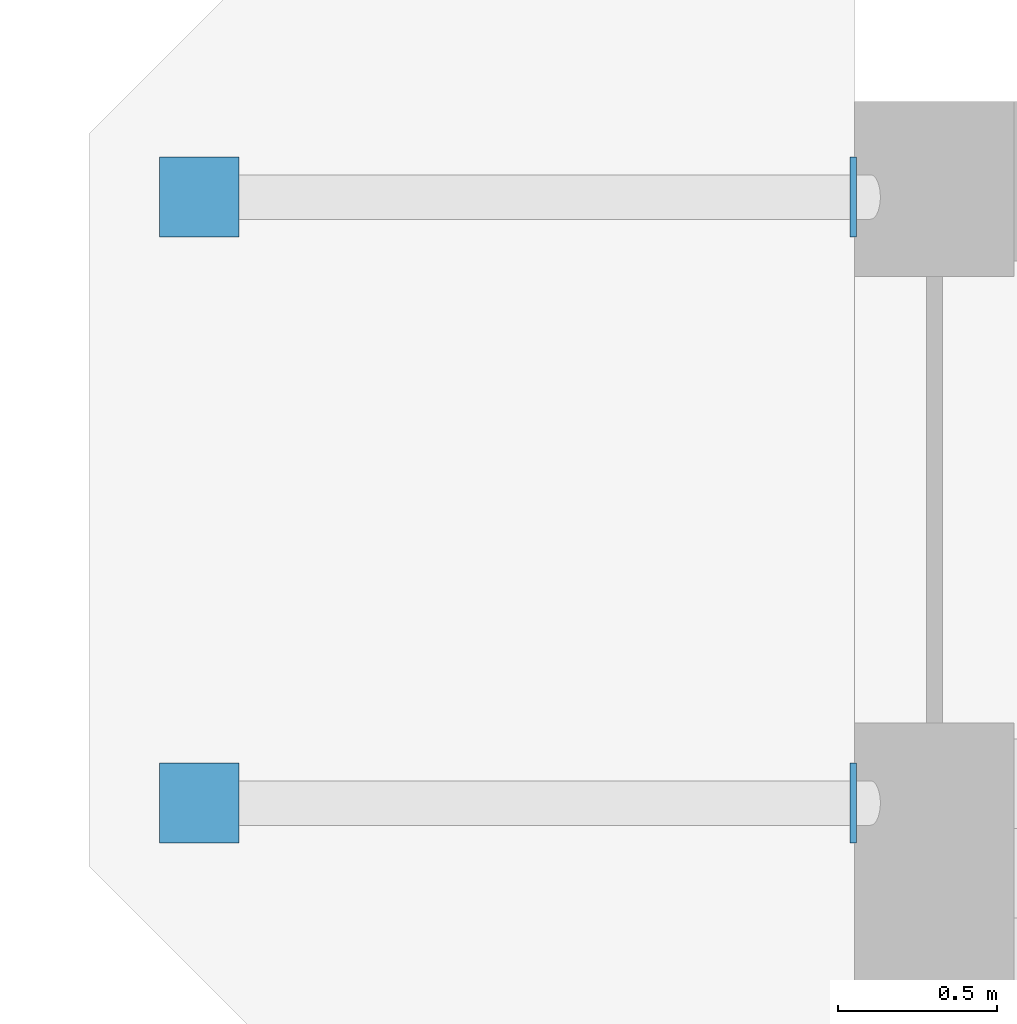
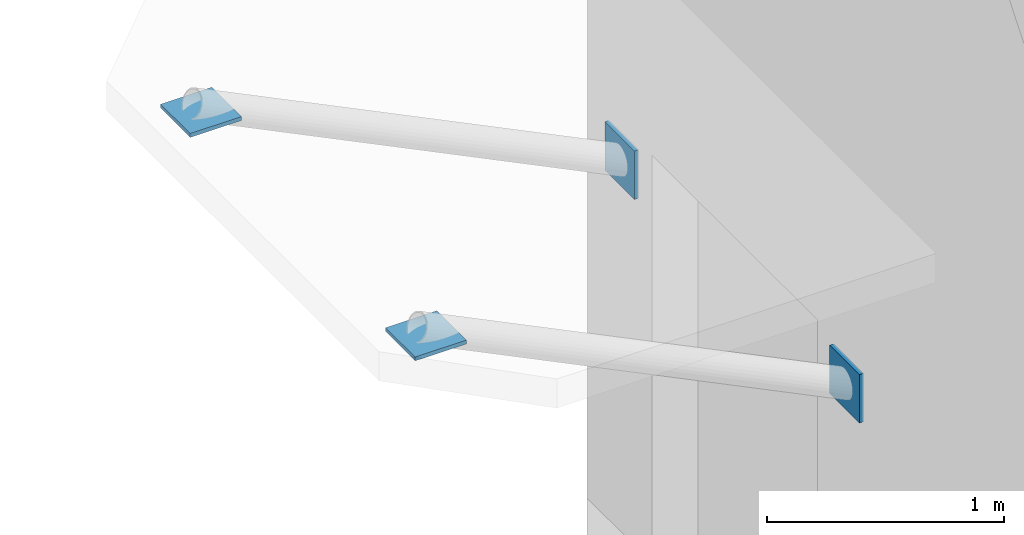
# One storey, part 63 of 71: 4 discrete accessories.
"""IFC4 building model written with IfcOpenShell, lengths in metres."""

from ifc_helpers import new_model, si_unit, direction, frame, origin, origin_2d, place, context, subcontext, project, spatial, rectangle, extrude, material, type_object, element, save


model = new_model("IFC4")

# Units and contexts
model_context = context("Model", 3, precision=1e-05, world=origin(), true_north=direction((0.0, 1.0)))
body_context = subcontext(model_context, "Body", "Model", "MODEL_VIEW")
ifc_project = project(units=[si_unit("LENGTHUNIT", "METRE"), si_unit("AREAUNIT", "SQUARE_METRE"), si_unit("VOLUMEUNIT", "CUBIC_METRE"), si_unit("PLANEANGLEUNIT", "RADIAN"), si_unit("MASSUNIT", "GRAM", prefix="KILO")], contexts=[model_context])

# Site, building, storey
site_placement = place(None, origin())
site = spatial("IfcSite", under=ifc_project, at=site_placement, CompositionType="ELEMENT")
building_placement = place(site_placement, origin())
building = spatial("IfcBuilding", under=site, at=building_placement, Name="Basin Gate Institute", CompositionType="ELEMENT")
storey_placement = place(building_placement, origin())
storey = spatial("IfcBuildingStorey", under=building, at=storey_placement, Name="L00", CompositionType="ELEMENT", Elevation=0.0)

# Discrete accessories
ifc_material = material(Name="Structural steel SN490", Category="steel")
discrete_accessory_type = type_object("IfcDiscreteAccessoryType", Name="Brace end plate BP250", PredefinedType="BRACKET", material=ifc_material)
discrete_accessory_1_placement = place(storey_placement, frame((60.946044921875, 97.949951171875, 1.80126953125), z_axis=(0.0, 0.0, 1.0), x_axis=(1.0, 0.0, 0.0)))
element("IfcDiscreteAccessory", 1, at=discrete_accessory_1_placement, inside=storey, type_object=discrete_accessory_type, material=ifc_material, Name="Canopy strut WN 1 end plate 1", PredefinedType="BRACKET", context=body_context, shape_type="SweptSolid", body=[
    extrude(rectangle(XDim=0.02001953125, YDim=0.25, at=origin_2d()), origin(), (0.0, 0.0, 1.0), 0.25),
])
discrete_accessory_2_placement = place(storey_placement, frame((58.89501953125, 97.949951171875, 2.8798828125), z_axis=(0.0, 0.0, 1.0), x_axis=(1.0, 0.0, 0.0)))
element("IfcDiscreteAccessory", 2, at=discrete_accessory_2_placement, inside=storey, type_object=discrete_accessory_type, material=ifc_material, Name="Canopy strut WN 1 end plate 2", PredefinedType="BRACKET", context=body_context, shape_type="SweptSolid", body=[
    extrude(rectangle(XDim=0.25, YDim=0.25, at=origin_2d()), origin(), (0.0, 0.0, 1.0), 0.02001953125),
])
discrete_accessory_3_placement = place(storey_placement, frame((60.946044921875, 99.85009765625, 1.80126953125), z_axis=(0.0, 0.0, 1.0), x_axis=(1.0, 0.0, 0.0)))
element("IfcDiscreteAccessory", 3, at=discrete_accessory_3_placement, inside=storey, type_object=discrete_accessory_type, material=ifc_material, Name="Canopy strut WN 2 end plate 1", PredefinedType="BRACKET", context=body_context, shape_type="SweptSolid", body=[
    extrude(rectangle(XDim=0.02001953125, YDim=0.25, at=origin_2d()), origin(), (0.0, 0.0, 1.0), 0.25),
])
discrete_accessory_4_placement = place(storey_placement, frame((58.89501953125, 99.85009765625, 2.8798828125), z_axis=(0.0, 0.0, 1.0), x_axis=(1.0, 0.0, 0.0)))
element("IfcDiscreteAccessory", 4, at=discrete_accessory_4_placement, inside=storey, type_object=discrete_accessory_type, material=ifc_material, Name="Canopy strut WN 2 end plate 2", PredefinedType="BRACKET", context=body_context, shape_type="SweptSolid", body=[
    extrude(rectangle(XDim=0.25, YDim=0.25, at=origin_2d()), origin(), (0.0, 0.0, 1.0), 0.02001953125),
])

save(model, "model.ifc")
